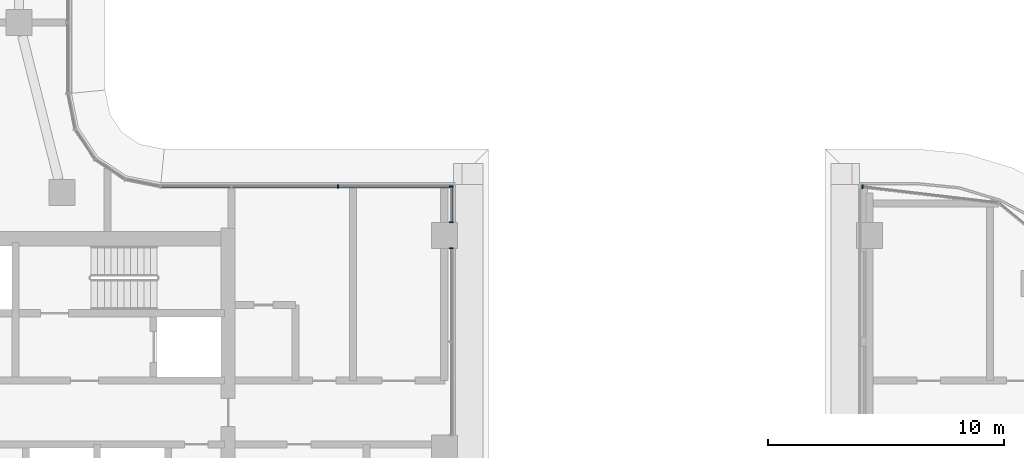
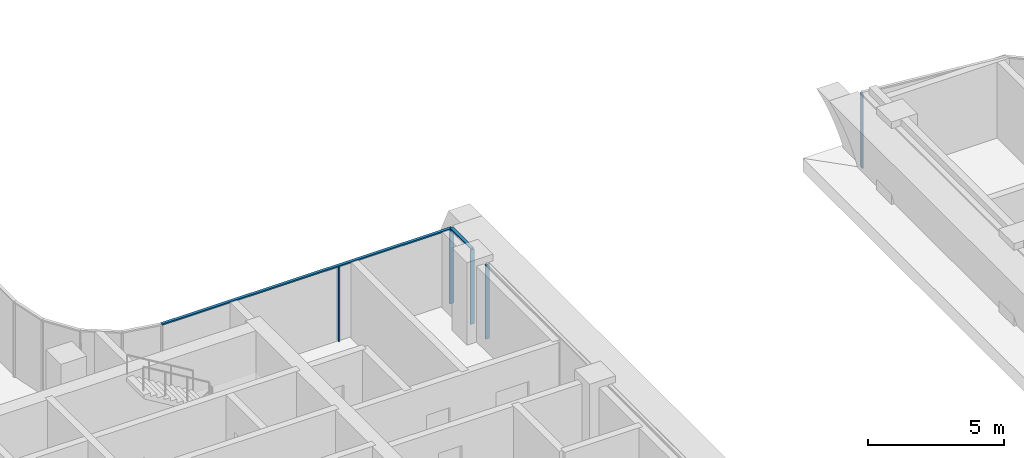
# One storey, part 4 of 26: 7 members, 4 elements without a shape of their own.
"""IFC4 building model written with IfcOpenShell, lengths in metres."""

from ifc_helpers import new_model, si_unit, direction, frame, origin, origin_2d, place, context, subcontext, project, spatial, rectangle, extrude, material, material_profile, profile_set, type_object, element, aggregate, save


model = new_model("IFC4")

# Units and contexts
model_context = context("Model", 3, precision=1e-05, world=origin(), true_north=direction((0.0, 1.0)))
body_context = subcontext(model_context, "Body", "Model", "MODEL_VIEW")
ifc_project = project(units=[si_unit("LENGTHUNIT", "METRE"), si_unit("AREAUNIT", "SQUARE_METRE"), si_unit("VOLUMEUNIT", "CUBIC_METRE"), si_unit("PLANEANGLEUNIT", "RADIAN"), si_unit("MASSUNIT", "GRAM", prefix="KILO")], contexts=[model_context])

# Site, building, storey
site_placement = place(None, origin())
site = spatial("IfcSite", under=ifc_project, at=site_placement, CompositionType="ELEMENT")
building_placement = place(site_placement, origin())
building = spatial("IfcBuilding", under=site, at=building_placement, Name="Ogive Portal Towers", CompositionType="ELEMENT")
storey_placement = place(building_placement, frame((0.0, 0.0, 171.800048828125)))
storey = spatial("IfcBuildingStorey", under=building, at=storey_placement, Name="L42", CompositionType="ELEMENT", Elevation=171.800048828125)

# Curtain wall, member
ifc_material_1 = material(Name="Glass, clear low-iron insulated glazing", Category="glass")
curtain_wall_type = type_object("IfcCurtainWallType", Name="CW FRONT RIBBON 4500", PredefinedType="NOTDEFINED", material=ifc_material_1)
curtain_wall_1_placement = place(storey_placement, origin())
curtain_wall_1 = element("IfcCurtainWall", 1, at=curtain_wall_1_placement, inside=storey, type_object=curtain_wall_type, Name="A:L42:f09:cw0~2", PredefinedType="NOTDEFINED")
ifc_material_2 = material(Name="Aluminium 6063 anodised", Category="aluminium")
ifc_material_profile_1 = material_profile(ifc_material_2, rectangle(XDim=0.159912109375, YDim=0.06005859375, at=origin_2d()), Name="AL 60x160")
ifc_profile_set_1 = profile_set([ifc_material_profile_1], Name="Aluminium 6063 anodised")
member_type_1 = type_object("IfcMemberType", Name="CW MULLION 60x160", PredefinedType="MULLION", material=ifc_profile_set_1)
member_1_placement = place(storey_placement, frame((67.800048828125, 38.949951171875, 0.0), z_axis=(0.0, 0.0, 1.0), x_axis=(-1.0, 0.0, 0.0)))
member_1 = element("IfcMember", 2, at=member_1_placement, type_object=member_type_1, Name="mullion", PredefinedType="MULLION", context=body_context, shape_type="SweptSolid", body=[
    extrude(rectangle(XDim=0.159912109375, YDim=0.06005859375, at=origin_2d()), origin(), (0.0, 0.0, 1.0), 3.33984375),
])
aggregate(curtain_wall_1, [member_1])

# Curtain wall, members
curtain_wall_2_placement = place(storey_placement, origin())
curtain_wall_2 = element("IfcCurtainWall", 3, at=curtain_wall_2_placement, inside=storey, type_object=curtain_wall_type, Name="A:L42:f09:cw0~3", PredefinedType="NOTDEFINED")
member_2_placement = place(storey_placement, frame((67.800048828125, 40.050048828125, 0.0), z_axis=(0.0, 0.0, 1.0), x_axis=(-1.0, 0.0, 0.0)))
member_2 = element("IfcMember", 4, at=member_2_placement, type_object=member_type_1, Name="mullion", PredefinedType="MULLION", context=body_context, shape_type="SweptSolid", body=[
    extrude(rectangle(XDim=0.159912109375, YDim=0.06005859375, at=origin_2d()), origin(), (0.0, 0.0, 1.0), 3.33984375),
])
member_3_placement = place(storey_placement, frame((67.800048828125, 41.56494140625, 0.0), z_axis=(0.0, 0.0, 1.0), x_axis=(-1.0, 0.0, 0.0)))
member_3 = element("IfcMember", 5, at=member_3_placement, type_object=member_type_1, Name="mullion", PredefinedType="MULLION", context=body_context, shape_type="SweptSolid", body=[
    extrude(rectangle(XDim=0.159912109375, YDim=0.06005859375, at=origin_2d()), origin(), (0.0, 0.0, 1.0), 3.33984375),
])

# Curtain wall, member
curtain_wall_3_placement = place(storey_placement, origin())
curtain_wall_3 = element("IfcCurtainWall", 6, at=curtain_wall_3_placement, inside=storey, type_object=curtain_wall_type, Name="A:L42:f10:cw0", PredefinedType="NOTDEFINED")
member_4_placement = place(storey_placement, frame((63.0, 41.56494140625, 0.0), z_axis=(0.0, 0.0, 1.0), x_axis=(0.0, -1.0, 0.0)))
member_4 = element("IfcMember", 7, at=member_4_placement, type_object=member_type_1, Name="mullion", PredefinedType="MULLION", context=body_context, shape_type="SweptSolid", body=[
    extrude(rectangle(XDim=0.159912109375, YDim=0.06005859375, at=origin_2d()), origin(), (0.0, 0.0, 1.0), 3.33984375),
])

curtain_wall_4_placement = place(storey_placement, origin())
curtain_wall_4 = element("IfcCurtainWall", 8, at=curtain_wall_4_placement, inside=storey, type_object=curtain_wall_type, Name="A:L42:f32:cwa", PredefinedType="NOTDEFINED")
member_5_placement = place(storey_placement, frame((85.199951171875, 41.554931640625, 0.0), z_axis=(0.0, 0.0, 1.0), x_axis=(-0.117574112297, -0.993064110779, 0.0)))
member_5 = element("IfcMember", 9, at=member_5_placement, type_object=member_type_1, Name="mullion", PredefinedType="MULLION", context=body_context, shape_type="SweptSolid", body=[
    extrude(rectangle(XDim=0.159912109375, YDim=0.06005859375, at=origin_2d()), origin(), (0.0, 0.0, 1.0), 3.33984375),
])
aggregate(curtain_wall_4, [member_5])

# Member
ifc_material_profile_2 = material_profile(ifc_material_2, rectangle(XDim=0.1201171875, YDim=0.06005859375, at=origin_2d()), Name="AL 120x60")
ifc_profile_set_2 = profile_set([ifc_material_profile_2], Name="Aluminium 6063 anodised")
member_type_2 = type_object("IfcMemberType", Name="CW TRANSOM 60x120", PredefinedType="USERDEFINED", material=ifc_profile_set_2)
member_6_placement = place(storey_placement, frame((67.800048828125, 40.050048828125, 3.369873046875), z_axis=(0.0, 1.0, 0.0), x_axis=(-1.0, 0.0, 0.0)))
member_6 = element("IfcMember", 10, at=member_6_placement, type_object=member_type_2, Name="transom", ObjectType="TRANSOM", PredefinedType="USERDEFINED", context=body_context, shape_type="SweptSolid", body=[
    extrude(rectangle(XDim=0.1201171875, YDim=0.06005859375, at=origin_2d()), origin(), (0.0, 0.0, 1.0), 1.514892578125),
])

aggregate(curtain_wall_2, [member_6, member_2, member_3])

member_7_placement = place(storey_placement, frame((67.800048828125, 41.56494140625, 3.369873046875), z_axis=(-1.0, 0.0, 0.0), x_axis=(0.0, -1.0, 0.0)))
member_7 = element("IfcMember", 11, at=member_7_placement, type_object=member_type_2, Name="transom", ObjectType="TRANSOM", PredefinedType="USERDEFINED", context=body_context, shape_type="SweptSolid", body=[
    extrude(rectangle(XDim=0.1201171875, YDim=0.06005859375, at=origin_2d()), origin(), (0.0, 0.0, 1.0), 12.307861328125),
])

aggregate(curtain_wall_3, [member_7, member_4])

save(model, "model.ifc")
